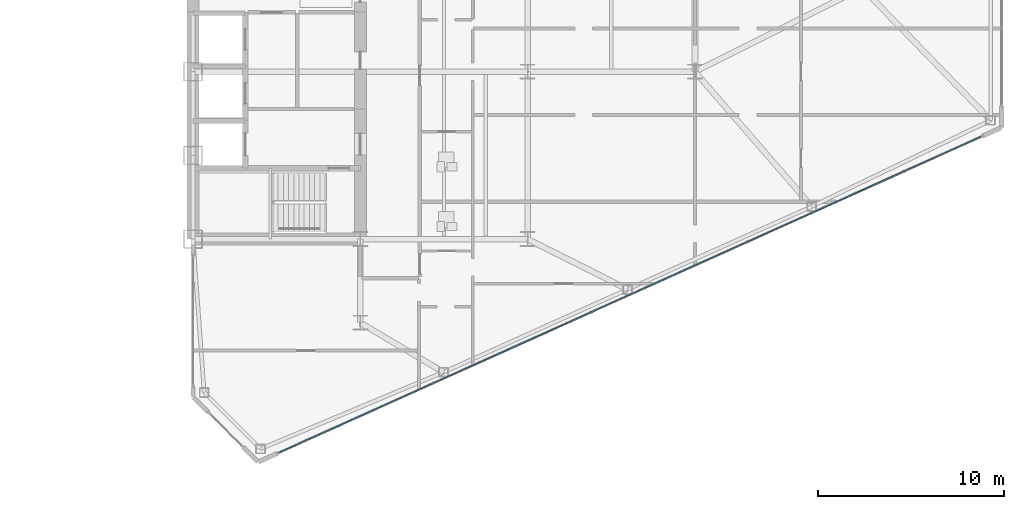
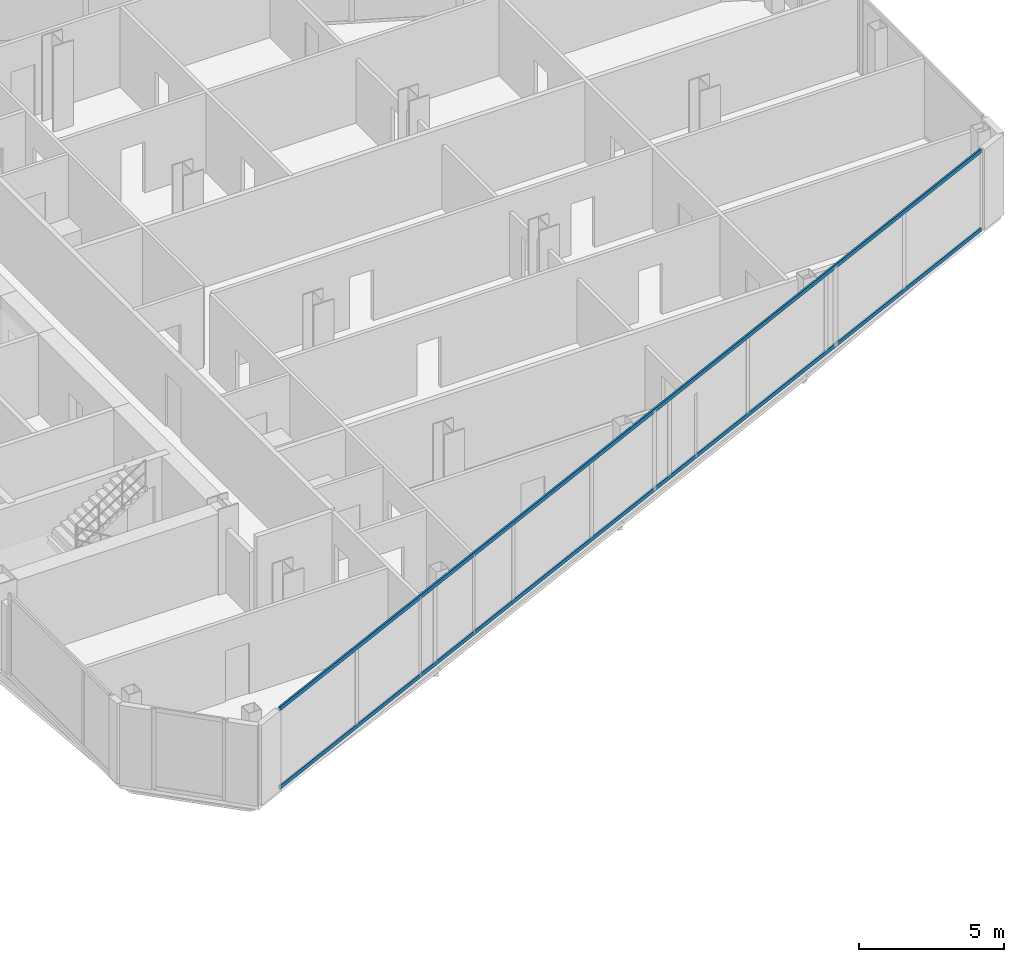
# One storey, part 11 of 27: 2 members, 1 element without a shape of its own.
"""IFC4 building model written with IfcOpenShell, lengths in metres."""

from ifc_helpers import new_model, si_unit, direction, frame, origin, origin_2d, place, context, subcontext, project, spatial, rectangle, extrude, source, transform, mapped, material, layer, layer_set, material_profile, profile_set, type_object, type_shapes, element, aggregate, save


model = new_model("IFC4")

# Units and contexts
model_context = context("Model", 3, precision=1e-05, world=origin(), true_north=direction((0.0, 1.0)))
body_context = subcontext(model_context, "Body", "Model", "MODEL_VIEW")
ifc_project = project(units=[si_unit("LENGTHUNIT", "METRE"), si_unit("AREAUNIT", "SQUARE_METRE"), si_unit("VOLUMEUNIT", "CUBIC_METRE"), si_unit("PLANEANGLEUNIT", "RADIAN"), si_unit("MASSUNIT", "GRAM", prefix="KILO")], contexts=[model_context])

# Site, building, storey
site_placement = place(None, origin())
site = spatial("IfcSite", under=ifc_project, at=site_placement, CompositionType="ELEMENT")
building_placement = place(site_placement, origin())
building = spatial("IfcBuilding", under=site, at=building_placement, Name="Seokmaru Belvedere", CompositionType="ELEMENT")
storey_placement = place(building_placement, frame((0.0, 0.0, 65.699951171875)))
storey = spatial("IfcBuildingStorey", under=building, at=storey_placement, Name="L17", CompositionType="ELEMENT", Elevation=65.699951171875)

# Curtain wall, members
ifc_material_1 = material(Name="Bronze Triple Insulating Glass", Category="glass")
ifc_layer = layer(ifc_material_1, 0.195068359375)
ifc_layer_set = layer_set([ifc_layer], Name="Bronze Triple Insulating Glass")
curtain_wall_type = type_object("IfcCurtainWallType", Name="Lower-Mid Tapered Curtain Wall System CW-3", PredefinedType="NOTDEFINED", material=ifc_layer_set)
curtain_wall_placement = place(storey_placement, origin())
curtain_wall = element("IfcCurtainWall", 1, at=curtain_wall_placement, inside=storey, type_object=curtain_wall_type, Name="L17 Curtain Wall EF1", PredefinedType="NOTDEFINED")
ifc_material_2 = material(Name="Anodised Bronze Aluminium", Category="aluminium")
ifc_material_profile = material_profile(ifc_material_2, rectangle(XDim=0.070068359375, YDim=0.1650390625, at=origin_2d()), Name="CW-T-70x165")
ifc_profile_set = profile_set([ifc_material_profile], Name="Anodised Bronze Aluminium")
member_type = type_object("IfcMemberType", Name="Bronze Unitised Transom 70x165", PredefinedType="USERDEFINED", material=ifc_profile_set)
shared_shape = source(origin(), body_context, "Body", "SweptSolid", [
    extrude(rectangle(XDim=0.070068359375, YDim=0.1650390625, at=origin_2d()), origin(), (0.0, 0.0, 1.0), 41.423583984375),
])
type_shapes(member_type, [shared_shape])
member_1_placement = place(storey_placement, frame((32.112548828125, -24.99951171875, 0.03515625), z_axis=(0.911918637916, 0.410371048956, 0.0), x_axis=(-0.410371048956, 0.911918637916, 0.0)))
member_1 = element("IfcMember", 2, at=member_1_placement, type_object=member_type, Name="CW:L17:EF1 Continuous Transom 1", ObjectType="TRANSOM", PredefinedType="USERDEFINED", context=body_context, shape_type="MappedRepresentation", body=[
    mapped(shared_shape, transform((0.0, 0.0, 0.0), scale=1.0)),
])
member_2_placement = place(storey_placement, frame((32.112548828125, -24.99951171875, 3.344970703125), z_axis=(0.911918637916, 0.410371048956, 0.0), x_axis=(-0.410371048956, 0.911918637916, 0.0)))
member_2 = element("IfcMember", 3, at=member_2_placement, type_object=member_type, Name="CW:L17:EF1 Continuous Transom 2", ObjectType="TRANSOM", PredefinedType="USERDEFINED", context=body_context, shape_type="MappedRepresentation", body=[
    mapped(shared_shape, transform((0.0, 0.0, 0.0), scale=1.0)),
])
aggregate(curtain_wall, [member_1, member_2])

save(model, "model.ifc")
